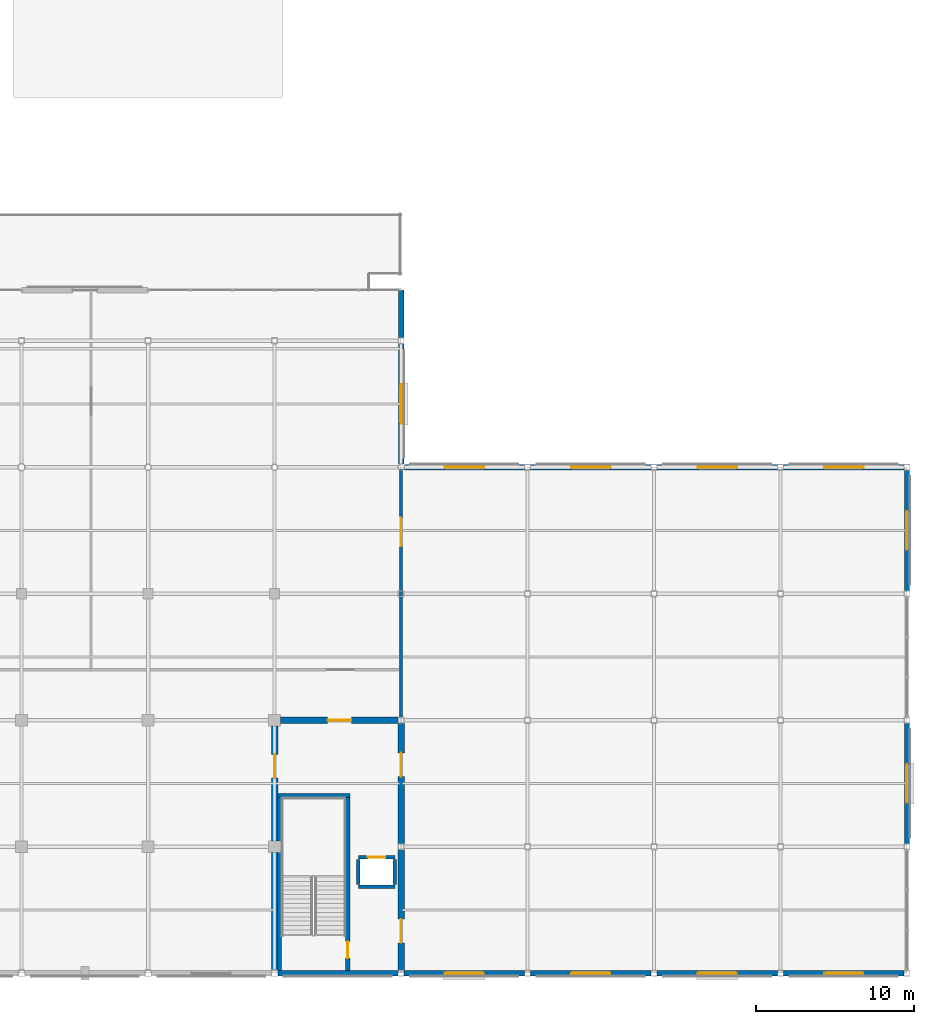
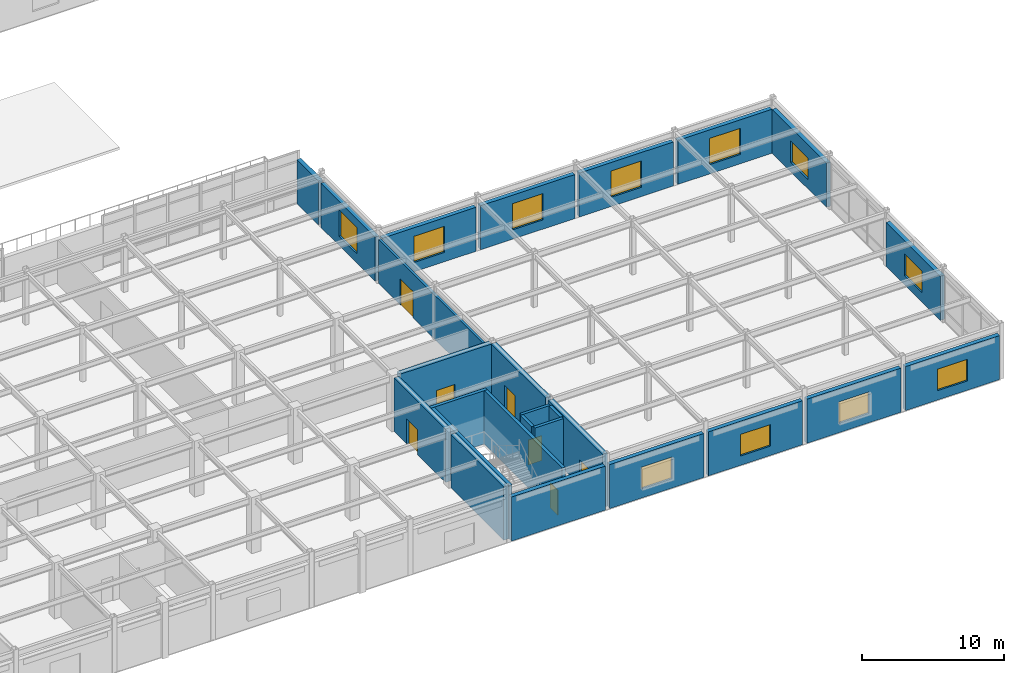
# One storey, part 95 of 117: 26 walls, 11 windows, 7 doors, 18 openings.
"""IFC4 building model written with IfcOpenShell, lengths in metres."""

from ifc_helpers import new_model, si_unit, direction, frame, frame_2d, origin, place, context, subcontext, project, spatial, rectangle, extrude, material, layer, layer_set, type_object, element, fill, save


model = new_model("IFC4")

# Units and contexts
model_context = context("Model", 3, precision=1e-05, world=origin(), true_north=direction((0.0, 1.0)))
body_context = subcontext(model_context, "Body", "Model", "MODEL_VIEW")
ifc_project = project(units=[si_unit("LENGTHUNIT", "METRE"), si_unit("AREAUNIT", "SQUARE_METRE"), si_unit("VOLUMEUNIT", "CUBIC_METRE"), si_unit("PLANEANGLEUNIT", "RADIAN"), si_unit("MASSUNIT", "GRAM", prefix="KILO")], contexts=[model_context])

# Site, building, storey
site_placement = place(None, origin())
site = spatial("IfcSite", under=ifc_project, at=site_placement, CompositionType="ELEMENT")
building_placement = place(site_placement, origin())
building = spatial("IfcBuilding", under=site, at=building_placement, Name="Solmirada Galleria", CompositionType="ELEMENT")
storey_placement = place(building_placement, frame((0.0, 0.0, 5.60009765625)))
storey = spatial("IfcBuildingStorey", under=building, at=storey_placement, Name="L01", CompositionType="ELEMENT", Elevation=5.60009765625)

# Wall, opening, door
ifc_material_1 = material(Name="Concrete C40/50", Category="concrete")
ifc_layer_1 = layer(ifc_material_1, 0.419921875)
ifc_layer_set_1 = layer_set([ifc_layer_1], Name="Concrete C40/50")
wall_type_1 = type_object("IfcWallType", Name="WL-CORE-420", PredefinedType="SHEAR", material=ifc_layer_set_1)
wall_1_placement = place(storey_placement, frame((136.375, 16.0, 0.0), z_axis=(0.0, 0.0, 1.0), x_axis=(1.0, 0.0, 0.0)))
wall_1 = element("IfcWall", 1, at=wall_1_placement, inside=storey, type_object=wall_type_1, Name="Core C6 shear wall L01 N1", PredefinedType="SHEAR", context=body_context, shape_type="SweptSolid", body=[
    extrude(rectangle(XDim=7.447021484375, YDim=0.419921875, at=frame_2d((3.7236328125, 0.0))), origin(), (0.0, 0.0, 1.0), 4.579833984375),
])
opening_1_placement = place(wall_1_placement, frame((2.97412109375, 0.0, 0.0)))
opening_1 = element("IfcOpeningElement", 2, at=opening_1_placement, cuts=wall_1, Name="Opening LDY-246", PredefinedType="OPENING", context=body_context, shape_type="SweptSolid", body=[
    extrude(rectangle(XDim=1.5, YDim=2.14990234375, at=frame_2d((0.75, 1.074951171875))), frame((0.0, 0.219970703125, 0.0), z_axis=(0.0, -1.0, 0.0), x_axis=(1.0, 0.0, 0.0)), (0.0, 0.0, 1.0), 0.43994140625),
])
ifc_material_2 = material(Name="Fire-rated painted steel door assembly", Category="steel")
door_type_1 = type_object("IfcDoorType", Name="DR-LOBBY-150X215", OperationType="DOUBLE_DOOR_SINGLE_SWING", PredefinedType="DOOR", material=ifc_material_2)
door_1_placement = place(opening_1_placement, origin())
door_1 = element("IfcDoor", 3, at=door_1_placement, inside=storey, type_object=door_type_1, Name="Core C6 lobby access fire door LDY-246", OperationType="DOUBLE_DOOR_SINGLE_SWING", OverallHeight=2.14990234375, OverallWidth=1.5, PredefinedType="DOOR", context=body_context, shape_type="SweptSolid", body=[
    extrude(rectangle(XDim=1.5, YDim=2.14990234375, at=frame_2d((0.75, 1.074951171875))), frame((0.0, 0.02490234375, 0.0), z_axis=(0.0, -1.0, 0.0), x_axis=(1.0, 0.0, 0.0)), (0.0, 0.0, 1.0), 0.050048828125),
])
fill(opening_1, door_1)

# Wall
wall_2_placement = place(storey_placement, frame((136.0, 0.202880859375, 0.0), z_axis=(0.0, 0.0, 1.0), x_axis=(0.0, 1.0, 0.0)))
element("IfcWall", 4, at=wall_2_placement, inside=storey, type_object=wall_type_1, Name="Core C6 shear wall L01 W1", PredefinedType="SHEAR", context=body_context, shape_type="SweptSolid", body=[
    extrude(rectangle(XDim=7.422119140625, YDim=0.419921875, at=frame_2d((3.7109375, 0.0))), origin(), (0.0, 0.0, 1.0), 4.579833984375),
])

# Wall, opening, door
wall_3_placement = place(storey_placement, frame((136.0, 8.375, 0.0), z_axis=(0.0, 0.0, 1.0), x_axis=(0.0, 1.0, 0.0)))
wall_3 = element("IfcWall", 5, at=wall_3_placement, inside=storey, type_object=wall_type_1, Name="Core C6 shear wall L01 W2", PredefinedType="SHEAR", context=body_context, shape_type="SweptSolid", body=[
    extrude(rectangle(XDim=7.25, YDim=0.419921875, at=frame_2d((3.625, 0.0))), origin(), (0.0, 0.0, 1.0), 4.579833984375),
])
opening_2_placement = place(wall_3_placement, frame((3.962890625, 0.0, 0.0)))
opening_2 = element("IfcOpeningElement", 6, at=opening_2_placement, cuts=wall_3, Name="Opening LDY-247", PredefinedType="OPENING", context=body_context, shape_type="SweptSolid", body=[
    extrude(rectangle(XDim=1.5, YDim=2.14990234375, at=frame_2d((0.75, 1.074951171875))), frame((0.0, 0.219970703125, 0.0), z_axis=(0.0, -1.0, 0.0), x_axis=(1.0, 0.0, 0.0)), (0.0, 0.0, 1.0), 0.43994140625),
])
door_2_placement = place(opening_2_placement, origin())
door_2 = element("IfcDoor", 7, at=door_2_placement, inside=storey, type_object=door_type_1, Name="Core C6 lobby access fire door LDY-247", OperationType="DOUBLE_DOOR_SINGLE_SWING", OverallHeight=2.14990234375, OverallWidth=1.5, PredefinedType="DOOR", context=body_context, shape_type="SweptSolid", body=[
    extrude(rectangle(XDim=1.5, YDim=2.14990234375, at=frame_2d((0.75, 1.074951171875))), frame((0.0, 0.02490234375, 0.0), z_axis=(0.0, -1.0, 0.0), x_axis=(1.0, 0.0, 0.0)), (0.0, 0.0, 1.0), 0.050048828125),
])
fill(opening_2, door_2)

wall_4_placement = place(storey_placement, frame((144.0, 0.177978515625, 0.0), z_axis=(0.0, 0.0, 1.0), x_axis=(0.0, 1.0, 0.0)))
wall_4 = element("IfcWall", 8, at=wall_4_placement, inside=storey, type_object=wall_type_1, Name="Core C6 shear wall L01 E1", PredefinedType="SHEAR", context=body_context, shape_type="SweptSolid", body=[
    extrude(rectangle(XDim=7.64404296875, YDim=0.419921875, at=frame_2d((3.822021484375, 0.0))), origin(), (0.0, 0.0, 1.0), 4.579833984375),
])
opening_3_placement = place(wall_4_placement, frame((1.736083984375, 0.0, 0.0)))
opening_3 = element("IfcOpeningElement", 9, at=opening_3_placement, cuts=wall_4, Name="Opening LDY-248", PredefinedType="OPENING", context=body_context, shape_type="SweptSolid", body=[
    extrude(rectangle(XDim=1.5, YDim=2.14990234375, at=frame_2d((0.75, 1.074951171875))), frame((0.0, 0.219970703125, 0.0), z_axis=(0.0, -1.0, 0.0), x_axis=(1.0, 0.0, 0.0)), (0.0, 0.0, 1.0), 0.43994140625),
])
door_3_placement = place(opening_3_placement, origin())
door_3 = element("IfcDoor", 10, at=door_3_placement, inside=storey, type_object=door_type_1, Name="Core C6 lobby access fire door LDY-248", OperationType="DOUBLE_DOOR_SINGLE_SWING", OverallHeight=2.14990234375, OverallWidth=1.5, PredefinedType="DOOR", context=body_context, shape_type="SweptSolid", body=[
    extrude(rectangle(XDim=1.5, YDim=2.14990234375, at=frame_2d((0.75, 1.074951171875))), frame((0.0, 0.02490234375, 0.0), z_axis=(0.0, -1.0, 0.0), x_axis=(1.0, 0.0, 0.0)), (0.0, 0.0, 1.0), 0.050048828125),
])
fill(opening_3, door_3)

wall_5_placement = place(storey_placement, frame((144.0, 8.177978515625, 0.0), z_axis=(0.0, 0.0, 1.0), x_axis=(0.0, 1.0, 0.0)))
wall_5 = element("IfcWall", 11, at=wall_5_placement, inside=storey, type_object=wall_type_1, Name="Core C6 shear wall L01 E2", PredefinedType="SHEAR", context=body_context, shape_type="SweptSolid", body=[
    extrude(rectangle(XDim=7.64404296875, YDim=0.419921875, at=frame_2d((3.822021484375, 0.0))), origin(), (0.0, 0.0, 1.0), 4.579833984375),
])
opening_4_placement = place(wall_5_placement, frame((4.258056640625, 0.0, 0.0)))
opening_4 = element("IfcOpeningElement", 12, at=opening_4_placement, cuts=wall_5, Name="Opening LDY-249", PredefinedType="OPENING", context=body_context, shape_type="SweptSolid", body=[
    extrude(rectangle(XDim=1.5, YDim=2.14990234375, at=frame_2d((0.75, 1.074951171875))), frame((0.0, 0.219970703125, 0.0), z_axis=(0.0, -1.0, 0.0), x_axis=(1.0, 0.0, 0.0)), (0.0, 0.0, 1.0), 0.43994140625),
])
door_4_placement = place(opening_4_placement, origin())
door_4 = element("IfcDoor", 13, at=door_4_placement, inside=storey, type_object=door_type_1, Name="Core C6 lobby access fire door LDY-249", OperationType="DOUBLE_DOOR_SINGLE_SWING", OverallHeight=2.14990234375, OverallWidth=1.5, PredefinedType="DOOR", context=body_context, shape_type="SweptSolid", body=[
    extrude(rectangle(XDim=1.5, YDim=2.14990234375, at=frame_2d((0.75, 1.074951171875))), frame((0.0, 0.02490234375, 0.0), z_axis=(0.0, -1.0, 0.0), x_axis=(1.0, 0.0, 0.0)), (0.0, 0.0, 1.0), 0.050048828125),
])
fill(opening_4, door_4)

# Wall
ifc_material_3 = material(Name="Precast concrete C40/50", Category="concrete")
ifc_layer_2 = layer(ifc_material_3, 0.340087890625)
ifc_layer_set_2 = layer_set([ifc_layer_2], Name="Precast concrete C40/50")
wall_type_2 = type_object("IfcWallType", Name="WL-EXT-340", PredefinedType="STANDARD", material=ifc_layer_set_2)
wall_6_placement = place(storey_placement, frame((144.0, 43.199951171875, 0.0), z_axis=(0.0, 0.0, 1.0), x_axis=(0.0, -1.0, 0.0)))
element("IfcWall", 14, at=wall_6_placement, inside=storey, type_object=wall_type_2, Name="Exterior wall L01 bay 071", PredefinedType="STANDARD", context=body_context, shape_type="SweptSolid", body=[
    extrude(rectangle(XDim=3.02197265625, YDim=0.340087890625, at=frame_2d((1.510986328125, 0.0))), origin(), (0.0, 0.0, 1.0), 3.77978515625),
])

# Wall, opening, window
wall_7_placement = place(storey_placement, frame((144.0, 39.822021484375, 0.0), z_axis=(0.0, 0.0, 1.0), x_axis=(0.0, -1.0, 0.0)))
wall_7 = element("IfcWall", 15, at=wall_7_placement, inside=storey, type_object=wall_type_2, Name="Exterior wall L01 bay 072", PredefinedType="STANDARD", context=body_context, shape_type="SweptSolid", body=[
    extrude(rectangle(XDim=7.619140625, YDim=0.340087890625, at=frame_2d((3.8095703125, 0.0))), origin(), (0.0, 0.0, 1.0), 3.77978515625),
])
opening_5_placement = place(wall_7_placement, frame((2.55908203125, 0.0, 0.800048828125)))
opening_5 = element("IfcOpeningElement", 16, at=opening_5_placement, cuts=wall_7, Name="Opening WN1", PredefinedType="OPENING", context=body_context, shape_type="SweptSolid", body=[
    extrude(rectangle(XDim=2.5, YDim=2.25, at=frame_2d((1.25, 1.125))), frame((0.0, 0.179931640625, 0.0), z_axis=(0.0, -1.0, 0.0), x_axis=(1.0, 0.0, 0.0)), (0.0, 0.0, 1.0), 0.360107421875),
])
ifc_material_4 = material(Name="Impact-resistant low-E double glazing", Category="glass")
window_type_1 = type_object("IfcWindowType", Name="WIN-AVE-250X225", PartitioningType="DOUBLE_PANEL_VERTICAL", PredefinedType="WINDOW", material=ifc_material_4)
window_1_placement = place(opening_5_placement, origin())
window_1 = element("IfcWindow", 17, at=window_1_placement, inside=storey, type_object=window_type_1, Name="Window L01-012", OverallHeight=2.25, OverallWidth=2.5, PartitioningType="DOUBLE_PANEL_VERTICAL", PredefinedType="WINDOW", context=body_context, shape_type="SweptSolid", body=[
    extrude(rectangle(XDim=2.5, YDim=2.25, at=frame_2d((1.25, 1.125))), frame((0.0, 0.030029296875, 0.0), z_axis=(0.0, -1.0, 0.0), x_axis=(1.0, 0.0, 0.0)), (0.0, 0.0, 1.0), 0.06005859375),
])
fill(opening_5, window_1)

wall_8_placement = place(storey_placement, frame((144.202880859375, 32.0, 0.0), z_axis=(0.0, 0.0, 1.0), x_axis=(1.0, 0.0, 0.0)))
wall_8 = element("IfcWall", 18, at=wall_8_placement, inside=storey, type_object=wall_type_2, Name="Exterior wall L01 bay 073", PredefinedType="STANDARD", context=body_context, shape_type="SweptSolid", body=[
    extrude(rectangle(XDim=7.619140625, YDim=0.340087890625, at=frame_2d((3.8095703125, 0.0))), origin(), (0.0, 0.0, 1.0), 3.77978515625),
])
opening_6_placement = place(wall_8_placement, frame((2.55908203125, 0.0, 0.800048828125)))
opening_6 = element("IfcOpeningElement", 19, at=opening_6_placement, cuts=wall_8, Name="Opening WN1", PredefinedType="OPENING", context=body_context, shape_type="SweptSolid", body=[
    extrude(rectangle(XDim=2.5, YDim=2.25, at=frame_2d((1.25, 1.125))), frame((0.0, 0.179931640625, 0.0), z_axis=(0.0, -1.0, 0.0), x_axis=(1.0, 0.0, 0.0)), (0.0, 0.0, 1.0), 0.360107421875),
])
window_2_placement = place(opening_6_placement, origin())
window_2 = element("IfcWindow", 20, at=window_2_placement, inside=storey, type_object=window_type_1, Name="Window L01-013", OverallHeight=2.25, OverallWidth=2.5, PartitioningType="DOUBLE_PANEL_VERTICAL", PredefinedType="WINDOW", context=body_context, shape_type="SweptSolid", body=[
    extrude(rectangle(XDim=2.5, YDim=2.25, at=frame_2d((1.25, 1.125))), frame((0.0, 0.030029296875, 0.0), z_axis=(0.0, -1.0, 0.0), x_axis=(1.0, 0.0, 0.0)), (0.0, 0.0, 1.0), 0.06005859375),
])
fill(opening_6, window_2)

wall_9_placement = place(storey_placement, frame((152.177978515625, 32.0, 0.0), z_axis=(0.0, 0.0, 1.0), x_axis=(1.0, 0.0, 0.0)))
wall_9 = element("IfcWall", 21, at=wall_9_placement, inside=storey, type_object=wall_type_2, Name="Exterior wall L01 bay 074", PredefinedType="STANDARD", context=body_context, shape_type="SweptSolid", body=[
    extrude(rectangle(XDim=7.64404296875, YDim=0.340087890625, at=frame_2d((3.822021484375, 0.0))), origin(), (0.0, 0.0, 1.0), 3.77978515625),
])
opening_7_placement = place(wall_9_placement, frame((2.572021484375, 0.0, 0.800048828125)))
opening_7 = element("IfcOpeningElement", 22, at=opening_7_placement, cuts=wall_9, Name="Opening WN1", PredefinedType="OPENING", context=body_context, shape_type="SweptSolid", body=[
    extrude(rectangle(XDim=2.5, YDim=2.25, at=frame_2d((1.25, 1.125))), frame((0.0, 0.179931640625, 0.0), z_axis=(0.0, -1.0, 0.0), x_axis=(1.0, 0.0, 0.0)), (0.0, 0.0, 1.0), 0.360107421875),
])
window_3_placement = place(opening_7_placement, origin())
window_3 = element("IfcWindow", 23, at=window_3_placement, inside=storey, type_object=window_type_1, Name="Window L01-014", OverallHeight=2.25, OverallWidth=2.5, PartitioningType="DOUBLE_PANEL_VERTICAL", PredefinedType="WINDOW", context=body_context, shape_type="SweptSolid", body=[
    extrude(rectangle(XDim=2.5, YDim=2.25, at=frame_2d((1.25, 1.125))), frame((0.0, 0.030029296875, 0.0), z_axis=(0.0, -1.0, 0.0), x_axis=(1.0, 0.0, 0.0)), (0.0, 0.0, 1.0), 0.06005859375),
])
fill(opening_7, window_3)

wall_10_placement = place(storey_placement, frame((160.177978515625, 32.0, 0.0), z_axis=(0.0, 0.0, 1.0), x_axis=(1.0, 0.0, 0.0)))
wall_10 = element("IfcWall", 24, at=wall_10_placement, inside=storey, type_object=wall_type_2, Name="Exterior wall L01 bay 075", PredefinedType="STANDARD", context=body_context, shape_type="SweptSolid", body=[
    extrude(rectangle(XDim=7.64404296875, YDim=0.340087890625, at=frame_2d((3.822021484375, 0.0))), origin(), (0.0, 0.0, 1.0), 3.77978515625),
])
opening_8_placement = place(wall_10_placement, frame((2.572021484375, 0.0, 0.800048828125)))
opening_8 = element("IfcOpeningElement", 25, at=opening_8_placement, cuts=wall_10, Name="Opening WN1", PredefinedType="OPENING", context=body_context, shape_type="SweptSolid", body=[
    extrude(rectangle(XDim=2.5, YDim=2.25, at=frame_2d((1.25, 1.125))), frame((0.0, 0.179931640625, 0.0), z_axis=(0.0, -1.0, 0.0), x_axis=(1.0, 0.0, 0.0)), (0.0, 0.0, 1.0), 0.360107421875),
])
window_4_placement = place(opening_8_placement, origin())
window_4 = element("IfcWindow", 26, at=window_4_placement, inside=storey, type_object=window_type_1, Name="Window L01-015", OverallHeight=2.25, OverallWidth=2.5, PartitioningType="DOUBLE_PANEL_VERTICAL", PredefinedType="WINDOW", context=body_context, shape_type="SweptSolid", body=[
    extrude(rectangle(XDim=2.5, YDim=2.25, at=frame_2d((1.25, 1.125))), frame((0.0, 0.030029296875, 0.0), z_axis=(0.0, -1.0, 0.0), x_axis=(1.0, 0.0, 0.0)), (0.0, 0.0, 1.0), 0.06005859375),
])
fill(opening_8, window_4)

wall_11_placement = place(storey_placement, frame((168.177978515625, 32.0, 0.0), z_axis=(0.0, 0.0, 1.0), x_axis=(1.0, 0.0, 0.0)))
wall_11 = element("IfcWall", 27, at=wall_11_placement, inside=storey, type_object=wall_type_2, Name="Exterior wall L01 bay 076", PredefinedType="STANDARD", context=body_context, shape_type="SweptSolid", body=[
    extrude(rectangle(XDim=7.64404296875, YDim=0.340087890625, at=frame_2d((3.822021484375, 0.0))), origin(), (0.0, 0.0, 1.0), 3.77978515625),
])
opening_9_placement = place(wall_11_placement, frame((2.572021484375, 0.0, 0.800048828125)))
opening_9 = element("IfcOpeningElement", 28, at=opening_9_placement, cuts=wall_11, Name="Opening WN1", PredefinedType="OPENING", context=body_context, shape_type="SweptSolid", body=[
    extrude(rectangle(XDim=2.5, YDim=2.25, at=frame_2d((1.25, 1.125))), frame((0.0, 0.179931640625, 0.0), z_axis=(0.0, -1.0, 0.0), x_axis=(1.0, 0.0, 0.0)), (0.0, 0.0, 1.0), 0.360107421875),
])
window_5_placement = place(opening_9_placement, origin())
window_5 = element("IfcWindow", 29, at=window_5_placement, inside=storey, type_object=window_type_1, Name="Window L01-016", OverallHeight=2.25, OverallWidth=2.5, PartitioningType="DOUBLE_PANEL_VERTICAL", PredefinedType="WINDOW", context=body_context, shape_type="SweptSolid", body=[
    extrude(rectangle(XDim=2.5, YDim=2.25, at=frame_2d((1.25, 1.125))), frame((0.0, 0.030029296875, 0.0), z_axis=(0.0, -1.0, 0.0), x_axis=(1.0, 0.0, 0.0)), (0.0, 0.0, 1.0), 0.06005859375),
])
fill(opening_9, window_5)

wall_12_placement = place(storey_placement, frame((176.0, 31.822021484375, 0.0), z_axis=(0.0, 0.0, 1.0), x_axis=(0.0, -1.0, 0.0)))
wall_12 = element("IfcWall", 30, at=wall_12_placement, inside=storey, type_object=wall_type_2, Name="Exterior wall L01 bay 077", PredefinedType="STANDARD", context=body_context, shape_type="SweptSolid", body=[
    extrude(rectangle(XDim=7.64404296875, YDim=0.340087890625, at=frame_2d((3.822021484375, 0.0))), origin(), (0.0, 0.0, 1.0), 3.77978515625),
])
opening_10_placement = place(wall_12_placement, frame((2.596923828125, 0.0, 0.800048828125)))
opening_10 = element("IfcOpeningElement", 31, at=opening_10_placement, cuts=wall_12, Name="Opening WN8", PredefinedType="OPENING", context=body_context, shape_type="SweptSolid", body=[
    extrude(rectangle(XDim=2.449951171875, YDim=1.85009765625, at=frame_2d((1.22509765625, 0.925048828125))), frame((0.0, 0.179931640625, 0.0), z_axis=(0.0, -1.0, 0.0), x_axis=(1.0, 0.0, 0.0)), (0.0, 0.0, 1.0), 0.360107421875),
])
window_type_2 = type_object("IfcWindowType", Name="WIN-LOG-245X185", PartitioningType="DOUBLE_PANEL_VERTICAL", PredefinedType="WINDOW", material=ifc_material_4)
window_6_placement = place(opening_10_placement, origin())
window_6 = element("IfcWindow", 32, at=window_6_placement, inside=storey, type_object=window_type_2, Name="Window L01-017", OverallHeight=1.85009765625, OverallWidth=2.449951171875, PartitioningType="DOUBLE_PANEL_VERTICAL", PredefinedType="WINDOW", context=body_context, shape_type="SweptSolid", body=[
    extrude(rectangle(XDim=2.449951171875, YDim=1.85009765625, at=frame_2d((1.22509765625, 0.925048828125))), frame((0.0, 0.030029296875, 0.0), z_axis=(0.0, -1.0, 0.0), x_axis=(1.0, 0.0, 0.0)), (0.0, 0.0, 1.0), 0.06005859375),
])
fill(opening_10, window_6)

wall_13_placement = place(storey_placement, frame((176.0, 15.822021484375, 0.0), z_axis=(0.0, 0.0, 1.0), x_axis=(0.0, -1.0, 0.0)))
wall_13 = element("IfcWall", 33, at=wall_13_placement, inside=storey, type_object=wall_type_2, Name="Exterior wall L01 bay 079", PredefinedType="STANDARD", context=body_context, shape_type="SweptSolid", body=[
    extrude(rectangle(XDim=7.64404296875, YDim=0.340087890625, at=frame_2d((3.822021484375, 0.0))), origin(), (0.0, 0.0, 1.0), 3.77978515625),
])
opening_11_placement = place(wall_13_placement, frame((2.596923828125, 0.0, 0.800048828125)))
opening_11 = element("IfcOpeningElement", 34, at=opening_11_placement, cuts=wall_13, Name="Opening WN8", PredefinedType="OPENING", context=body_context, shape_type="SweptSolid", body=[
    extrude(rectangle(XDim=2.449951171875, YDim=1.85009765625, at=frame_2d((1.22509765625, 0.925048828125))), frame((0.0, 0.179931640625, 0.0), z_axis=(0.0, -1.0, 0.0), x_axis=(1.0, 0.0, 0.0)), (0.0, 0.0, 1.0), 0.360107421875),
])
window_7_placement = place(opening_11_placement, origin())
window_7 = element("IfcWindow", 35, at=window_7_placement, inside=storey, type_object=window_type_2, Name="Window L01-018", OverallHeight=1.85009765625, OverallWidth=2.449951171875, PartitioningType="DOUBLE_PANEL_VERTICAL", PredefinedType="WINDOW", context=body_context, shape_type="SweptSolid", body=[
    extrude(rectangle(XDim=2.449951171875, YDim=1.85009765625, at=frame_2d((1.22509765625, 0.925048828125))), frame((0.0, 0.030029296875, 0.0), z_axis=(0.0, -1.0, 0.0), x_axis=(1.0, 0.0, 0.0)), (0.0, 0.0, 1.0), 0.06005859375),
])
fill(opening_11, window_7)

wall_14_placement = place(storey_placement, frame((175.822021484375, 0.0, 0.0), z_axis=(0.0, 0.0, 1.0), x_axis=(-1.0, 0.0, 0.0)))
wall_14 = element("IfcWall", 36, at=wall_14_placement, inside=storey, type_object=wall_type_2, Name="Exterior wall L01 bay 081", PredefinedType="STANDARD", context=body_context, shape_type="SweptSolid", body=[
    extrude(rectangle(XDim=7.64404296875, YDim=0.340087890625, at=frame_2d((3.822021484375, 0.0))), origin(), (0.0, 0.0, 1.0), 3.77978515625),
])
opening_12_placement = place(wall_14_placement, frame((2.596923828125, 0.0, 0.800048828125)))
opening_12 = element("IfcOpeningElement", 37, at=opening_12_placement, cuts=wall_14, Name="Opening WN8", PredefinedType="OPENING", context=body_context, shape_type="SweptSolid", body=[
    extrude(rectangle(XDim=2.449951171875, YDim=1.85009765625, at=frame_2d((1.22509765625, 0.925048828125))), frame((0.0, 0.179931640625, 0.0), z_axis=(0.0, -1.0, 0.0), x_axis=(1.0, 0.0, 0.0)), (0.0, 0.0, 1.0), 0.360107421875),
])
window_8_placement = place(opening_12_placement, origin())
window_8 = element("IfcWindow", 38, at=window_8_placement, inside=storey, type_object=window_type_2, Name="Window L01-019", OverallHeight=1.85009765625, OverallWidth=2.449951171875, PartitioningType="DOUBLE_PANEL_VERTICAL", PredefinedType="WINDOW", context=body_context, shape_type="SweptSolid", body=[
    extrude(rectangle(XDim=2.449951171875, YDim=1.85009765625, at=frame_2d((1.22509765625, 0.925048828125))), frame((0.0, 0.030029296875, 0.0), z_axis=(0.0, -1.0, 0.0), x_axis=(1.0, 0.0, 0.0)), (0.0, 0.0, 1.0), 0.06005859375),
])
fill(opening_12, window_8)

wall_15_placement = place(storey_placement, frame((167.822021484375, 0.0, 0.0), z_axis=(0.0, 0.0, 1.0), x_axis=(-1.0, 0.0, 0.0)))
wall_15 = element("IfcWall", 39, at=wall_15_placement, inside=storey, type_object=wall_type_2, Name="Exterior wall L01 bay 082", PredefinedType="STANDARD", context=body_context, shape_type="SweptSolid", body=[
    extrude(rectangle(XDim=7.64404296875, YDim=0.340087890625, at=frame_2d((3.822021484375, 0.0))), origin(), (0.0, 0.0, 1.0), 3.77978515625),
])
opening_13_placement = place(wall_15_placement, frame((2.596923828125, 0.0, 0.800048828125)))
opening_13 = element("IfcOpeningElement", 40, at=opening_13_placement, cuts=wall_15, Name="Opening WN8", PredefinedType="OPENING", context=body_context, shape_type="SweptSolid", body=[
    extrude(rectangle(XDim=2.449951171875, YDim=1.85009765625, at=frame_2d((1.22509765625, 0.925048828125))), frame((0.0, 0.179931640625, 0.0), z_axis=(0.0, -1.0, 0.0), x_axis=(1.0, 0.0, 0.0)), (0.0, 0.0, 1.0), 0.360107421875),
])
window_9_placement = place(opening_13_placement, origin())
window_9 = element("IfcWindow", 41, at=window_9_placement, inside=storey, type_object=window_type_2, Name="Window L01-020", OverallHeight=1.85009765625, OverallWidth=2.449951171875, PartitioningType="DOUBLE_PANEL_VERTICAL", PredefinedType="WINDOW", context=body_context, shape_type="SweptSolid", body=[
    extrude(rectangle(XDim=2.449951171875, YDim=1.85009765625, at=frame_2d((1.22509765625, 0.925048828125))), frame((0.0, 0.030029296875, 0.0), z_axis=(0.0, -1.0, 0.0), x_axis=(1.0, 0.0, 0.0)), (0.0, 0.0, 1.0), 0.06005859375),
])
fill(opening_13, window_9)

wall_16_placement = place(storey_placement, frame((159.822021484375, 0.0, 0.0), z_axis=(0.0, 0.0, 1.0), x_axis=(-1.0, 0.0, 0.0)))
wall_16 = element("IfcWall", 42, at=wall_16_placement, inside=storey, type_object=wall_type_2, Name="Exterior wall L01 bay 083", PredefinedType="STANDARD", context=body_context, shape_type="SweptSolid", body=[
    extrude(rectangle(XDim=7.64404296875, YDim=0.340087890625, at=frame_2d((3.822021484375, 0.0))), origin(), (0.0, 0.0, 1.0), 3.77978515625),
])
opening_14_placement = place(wall_16_placement, frame((2.596923828125, 0.0, 0.800048828125)))
opening_14 = element("IfcOpeningElement", 43, at=opening_14_placement, cuts=wall_16, Name="Opening WN8", PredefinedType="OPENING", context=body_context, shape_type="SweptSolid", body=[
    extrude(rectangle(XDim=2.449951171875, YDim=1.85009765625, at=frame_2d((1.22509765625, 0.925048828125))), frame((0.0, 0.179931640625, 0.0), z_axis=(0.0, -1.0, 0.0), x_axis=(1.0, 0.0, 0.0)), (0.0, 0.0, 1.0), 0.360107421875),
])
window_10_placement = place(opening_14_placement, origin())
window_10 = element("IfcWindow", 44, at=window_10_placement, inside=storey, type_object=window_type_2, Name="Window L01-021", OverallHeight=1.85009765625, OverallWidth=2.449951171875, PartitioningType="DOUBLE_PANEL_VERTICAL", PredefinedType="WINDOW", context=body_context, shape_type="SweptSolid", body=[
    extrude(rectangle(XDim=2.449951171875, YDim=1.85009765625, at=frame_2d((1.22509765625, 0.925048828125))), frame((0.0, 0.030029296875, 0.0), z_axis=(0.0, -1.0, 0.0), x_axis=(1.0, 0.0, 0.0)), (0.0, 0.0, 1.0), 0.06005859375),
])
fill(opening_14, window_10)

wall_17_placement = place(storey_placement, frame((151.822021484375, 0.0, 0.0), z_axis=(0.0, 0.0, 1.0), x_axis=(-1.0, 0.0, 0.0)))
wall_17 = element("IfcWall", 45, at=wall_17_placement, inside=storey, type_object=wall_type_2, Name="Exterior wall L01 bay 084", PredefinedType="STANDARD", context=body_context, shape_type="SweptSolid", body=[
    extrude(rectangle(XDim=7.64404296875, YDim=0.340087890625, at=frame_2d((3.822021484375, 0.0))), origin(), (0.0, 0.0, 1.0), 3.77978515625),
])
opening_15_placement = place(wall_17_placement, frame((2.596923828125, 0.0, 0.800048828125)))
opening_15 = element("IfcOpeningElement", 46, at=opening_15_placement, cuts=wall_17, Name="Opening WN8", PredefinedType="OPENING", context=body_context, shape_type="SweptSolid", body=[
    extrude(rectangle(XDim=2.449951171875, YDim=1.85009765625, at=frame_2d((1.22509765625, 0.925048828125))), frame((0.0, 0.179931640625, 0.0), z_axis=(0.0, -1.0, 0.0), x_axis=(1.0, 0.0, 0.0)), (0.0, 0.0, 1.0), 0.360107421875),
])
window_11_placement = place(opening_15_placement, origin())
window_11 = element("IfcWindow", 47, at=window_11_placement, inside=storey, type_object=window_type_2, Name="Window L01-022", OverallHeight=1.85009765625, OverallWidth=2.449951171875, PartitioningType="DOUBLE_PANEL_VERTICAL", PredefinedType="WINDOW", context=body_context, shape_type="SweptSolid", body=[
    extrude(rectangle(XDim=2.449951171875, YDim=1.85009765625, at=frame_2d((1.22509765625, 0.925048828125))), frame((0.0, 0.030029296875, 0.0), z_axis=(0.0, -1.0, 0.0), x_axis=(1.0, 0.0, 0.0)), (0.0, 0.0, 1.0), 0.06005859375),
])
fill(opening_15, window_11)

# Wall
wall_18_placement = place(storey_placement, frame((143.822021484375, 0.0, 0.0), z_axis=(0.0, 0.0, 1.0), x_axis=(-1.0, 0.0, 0.0)))
element("IfcWall", 48, at=wall_18_placement, inside=storey, type_object=wall_type_2, Name="Exterior wall L01 bay 085", PredefinedType="STANDARD", context=body_context, shape_type="SweptSolid", body=[
    extrude(rectangle(XDim=7.619140625, YDim=0.340087890625, at=frame_2d((3.8095703125, 0.0))), origin(), (0.0, 0.0, 1.0), 3.77978515625),
])

# Wall, opening, door
ifc_layer_3 = layer(ifc_material_1, 0.239990234375)
ifc_layer_set_3 = layer_set([ifc_layer_3], Name="Concrete C40/50")
wall_type_3 = type_object("IfcWallType", Name="WL-HOIST-240", PredefinedType="PARTITIONING", material=ifc_layer_set_3)
wall_19_placement = place(storey_placement, frame((141.294921875, 7.330078125, 0.0), z_axis=(0.0, 0.0, 1.0), x_axis=(1.0, 0.0, 0.0)))
wall_19 = element("IfcWall", 49, at=wall_19_placement, inside=storey, type_object=wall_type_3, Name="Lift LP6 hoistway front wall L01", PredefinedType="PARTITIONING", context=body_context, shape_type="SweptSolid", body=[
    extrude(rectangle(XDim=2.31005859375, YDim=0.239990234375, at=frame_2d((1.155029296875, 0.0))), origin(), (0.0, 0.0, 1.0), 4.579833984375),
])
opening_16_placement = place(wall_19_placement, frame((0.60498046875, 0.0, 0.0)))
opening_16 = element("IfcOpeningElement", 50, at=opening_16_placement, cuts=wall_19, Name="Opening LD-LP6-L01", PredefinedType="OPENING", context=body_context, shape_type="SweptSolid", body=[
    extrude(rectangle(XDim=1.10009765625, YDim=2.14990234375, at=frame_2d((0.550048828125, 1.074951171875))), frame((0.0, 0.1298828125, 0.0), z_axis=(0.0, -1.0, 0.0), x_axis=(1.0, 0.0, 0.0)), (0.0, 0.0, 1.0), 0.260009765625),
])
ifc_material_5 = material(Name="Brushed stainless-steel sliding landing door", Category="steel")
door_type_2 = type_object("IfcDoorType", Name="DR-LIFT-110X215", OperationType="SLIDING_TO_LEFT", PredefinedType="DOOR", material=ifc_material_5)
door_5_placement = place(opening_16_placement, origin())
door_5 = element("IfcDoor", 51, at=door_5_placement, inside=storey, type_object=door_type_2, Name="Lift LP6 sliding landing door L01", OperationType="SLIDING_TO_LEFT", OverallHeight=2.14990234375, OverallWidth=1.10009765625, PredefinedType="DOOR", context=body_context, shape_type="SweptSolid", body=[
    extrude(rectangle(XDim=1.10009765625, YDim=2.14990234375, at=frame_2d((0.550048828125, 1.074951171875))), frame((0.0, 0.02490234375, 0.0), z_axis=(0.0, -1.0, 0.0), x_axis=(1.0, 0.0, 0.0)), (0.0, 0.0, 1.0), 0.050048828125),
])
fill(opening_16, door_5)

# Walls
wall_20_placement = place(storey_placement, frame((141.294921875, 5.469970703125, 0.0), z_axis=(0.0, 0.0, 1.0), x_axis=(1.0, 0.0, 0.0)))
element("IfcWall", 52, at=wall_20_placement, inside=storey, type_object=wall_type_3, Name="Lift LP6 hoistway rear wall L01", PredefinedType="PARTITIONING", context=body_context, shape_type="SweptSolid", body=[
    extrude(rectangle(XDim=2.31005859375, YDim=0.239990234375, at=frame_2d((1.155029296875, 0.0))), origin(), (0.0, 0.0, 1.0), 4.579833984375),
])
for number, where, z_axis, x_axis, name in (
    (53, (141.294921875, 5.610107421875, 0.0), (0.0, 0.0, 1.0), (0.0, 1.0, 0.0), "Lift LP6 hoistway side wall L L01"),
    (54, (143.60498046875, 5.610107421875, 0.0), (0.0, 0.0, 1.0), (0.0, 1.0, 0.0), "Lift LP6 hoistway side wall R L01"),
):
    element("IfcWall", number, at=place(storey_placement, frame(where, z_axis=z_axis, x_axis=x_axis)), inside=storey, type_object=wall_type_3, Name=name, PredefinedType="PARTITIONING", context=body_context, shape_type="SweptSolid", body=[
        extrude(rectangle(XDim=1.579833984375, YDim=0.239990234375, at=frame_2d((0.7900390625, 0.0))), origin(), (0.0, 0.0, 1.0), 4.579833984375),
    ])

# Wall, opening, door
ifc_material_6 = material(Name="Fire-rated gypsum and steel-stud partition", Category="steel")
ifc_layer_4 = layer(ifc_material_6, 0.18994140625)
ifc_layer_set_4 = layer_set([ifc_layer_4], Name="Fire-rated gypsum and steel-stud partition")
wall_type_4 = type_object("IfcWallType", Name="WL-PART-190", PredefinedType="PARTITIONING", material=ifc_layer_set_4)
wall_21_placement = place(storey_placement, frame((144.0, 16.177978515625, 0.0), z_axis=(0.0, 0.0, 1.0), x_axis=(0.0, 1.0, 0.0)))
wall_21 = element("IfcWall", 55, at=wall_21_placement, inside=storey, type_object=wall_type_4, Name="Partition L01-065 (East Stockroom L01)", PredefinedType="PARTITIONING", context=body_context, shape_type="SweptSolid", body=[
    extrude(rectangle(XDim=15.672119140625, YDim=0.18994140625, at=frame_2d((7.8359375, 0.0))), origin(), (0.0, 0.0, 1.0), 3.77978515625),
])
opening_17_placement = place(wall_21_placement, frame((10.827880859375, 0.0, 0.0)))
opening_17 = element("IfcOpeningElement", 56, at=opening_17_placement, cuts=wall_21, Name="Opening ID-304", PredefinedType="OPENING", context=body_context, shape_type="SweptSolid", body=[
    extrude(rectangle(XDim=1.800048828125, YDim=2.25, at=frame_2d((0.89990234375, 1.125))), frame((0.0, 0.10498046875, 0.0), z_axis=(0.0, -1.0, 0.0), x_axis=(1.0, 0.0, 0.0)), (0.0, 0.0, 1.0), 0.2099609375),
])
door_type_3 = type_object("IfcDoorType", Name="DR-STOCK-180X225", OperationType="DOUBLE_DOOR_SINGLE_SWING", PredefinedType="DOOR", material=ifc_material_2)
door_6_placement = place(opening_17_placement, origin())
door_6 = element("IfcDoor", 57, at=door_6_placement, inside=storey, type_object=door_type_3, Name="East Stockroom L01 door ID-304", OperationType="DOUBLE_DOOR_SINGLE_SWING", OverallHeight=2.25, OverallWidth=1.800048828125, PredefinedType="DOOR", context=body_context, shape_type="SweptSolid", body=[
    extrude(rectangle(XDim=1.800048828125, YDim=2.25, at=frame_2d((0.89990234375, 1.125))), frame((0.0, 0.02490234375, 0.0), z_axis=(0.0, -1.0, 0.0), x_axis=(1.0, 0.0, 0.0)), (0.0, 0.0, 1.0), 0.050048828125),
])
fill(opening_17, door_6)

# Walls
ifc_layer_5 = layer(ifc_material_1, 0.260009765625)
ifc_layer_set_5 = layer_set([ifc_layer_5], Name="Concrete C40/50")
wall_type_5 = type_object("IfcWallType", Name="WL-SHAFT-260", PredefinedType="SHEAR", material=ifc_layer_set_5)
wall_22_placement = place(storey_placement, frame((136.18994140625, 11.22998046875, 0.0), z_axis=(0.0, 0.0, 1.0), x_axis=(1.0, 0.0, 0.0)))
element("IfcWall", 58, at=wall_22_placement, inside=storey, type_object=wall_type_5, Name="Stair ST6 enclosure wall L01 N", PredefinedType="SHEAR", context=body_context, shape_type="SweptSolid", body=[
    extrude(rectangle(XDim=4.570068359375, YDim=0.260009765625, at=frame_2d((2.28515625, 0.0))), origin(), (0.0, 0.0, 1.0), 4.579833984375),
])
wall_23_placement = place(storey_placement, frame((136.320068359375, 0.14501953125, 0.0), z_axis=(0.0, 0.0, 1.0), x_axis=(0.0, 1.0, 0.0)))
element("IfcWall", 59, at=wall_23_placement, inside=storey, type_object=wall_type_5, Name="Stair ST6 enclosure wall L01 W", PredefinedType="SHEAR", context=body_context, shape_type="SweptSolid", body=[
    extrude(rectangle(XDim=10.955078125, YDim=0.260009765625, at=frame_2d((5.4775390625, 0.0))), origin(), (0.0, 0.0, 1.0), 4.579833984375),
])

# Wall, opening, door
wall_24_placement = place(storey_placement, frame((140.6298828125, 0.14501953125, 0.0), z_axis=(0.0, 0.0, 1.0), x_axis=(0.0, 1.0, 0.0)))
wall_24 = element("IfcWall", 60, at=wall_24_placement, inside=storey, type_object=wall_type_5, Name="Stair ST6 enclosure wall L01 E", PredefinedType="SHEAR", context=body_context, shape_type="SweptSolid", body=[
    extrude(rectangle(XDim=10.955078125, YDim=0.260009765625, at=frame_2d((5.4775390625, 0.0))), origin(), (0.0, 0.0, 1.0), 4.579833984375),
])
opening_18_placement = place(wall_24_placement, frame((0.804931640625, 0.0, 0.0)))
opening_18 = element("IfcOpeningElement", 61, at=opening_18_placement, cuts=wall_24, Name="Opening SD-245", PredefinedType="OPENING", context=body_context, shape_type="SweptSolid", body=[
    extrude(rectangle(XDim=1.050048828125, YDim=2.14990234375, at=frame_2d((0.52490234375, 1.074951171875))), frame((0.0, 0.139892578125, 0.0), z_axis=(0.0, -1.0, 0.0), x_axis=(1.0, 0.0, 0.0)), (0.0, 0.0, 1.0), 0.280029296875),
])
door_type_4 = type_object("IfcDoorType", Name="DR-STAIR-105X215", OperationType="NOTDEFINED", PredefinedType="DOOR", material=ifc_material_2)
door_7_placement = place(opening_18_placement, origin())
door_7 = element("IfcDoor", 62, at=door_7_placement, inside=storey, type_object=door_type_4, Name="Exit stair ST6 enclosure fire door SD-245", OperationType="SINGLE_SWING_RIGHT", OverallHeight=2.14990234375, OverallWidth=1.050048828125, PredefinedType="DOOR", context=body_context, shape_type="SweptSolid", body=[
    extrude(rectangle(XDim=1.050048828125, YDim=2.14990234375, at=frame_2d((0.52490234375, 1.074951171875))), frame((0.0, 0.02490234375, 0.0), z_axis=(0.0, -1.0, 0.0), x_axis=(1.0, 0.0, 0.0)), (0.0, 0.0, 1.0), 0.050048828125),
])
fill(opening_18, door_7)

save(model, "model.ifc")
